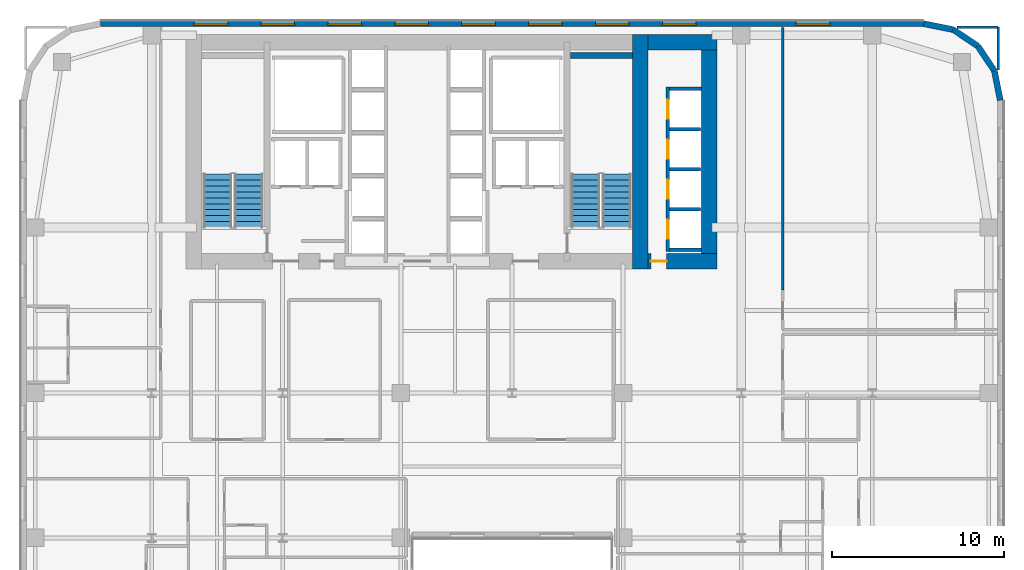
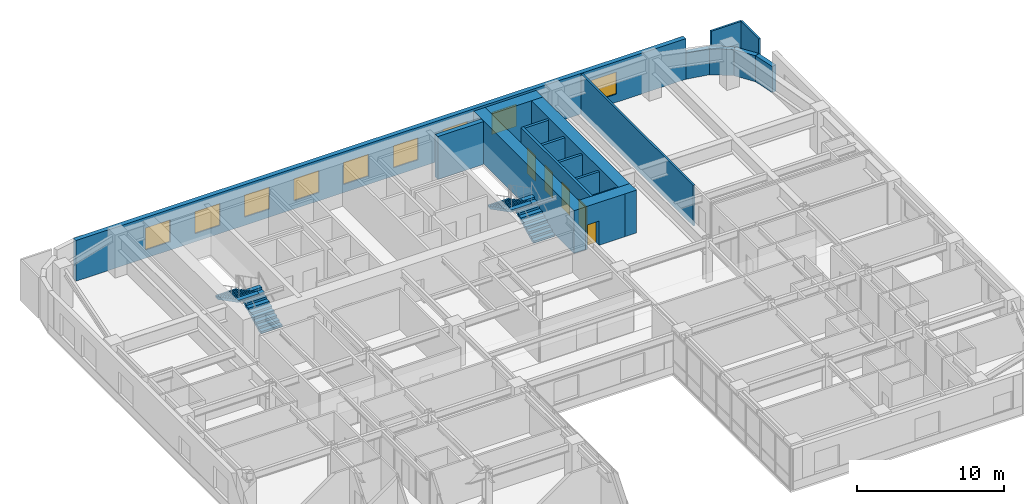
# One storey, part 19 of 25: 19 walls, 9 windows, 5 doors, 4 stair flights, 14 openings, 2 elements without a shape of their own.
"""IFC4 building model written with IfcOpenShell, lengths in metres."""

from ifc_helpers import new_model, si_unit, direction, frame, frame_2d, origin, place, context, subcontext, project, spatial, polyline, rectangle, outline, extrude, source, transform, mapped, material, layer, layer_set, type_object, type_shapes, element, fill, aggregate, save


model = new_model("IFC4")

# Units and contexts
model_context = context("Model", 3, precision=1e-05, world=origin(), true_north=direction((0.0, 1.0)))
body_context = subcontext(model_context, "Body", "Model", "MODEL_VIEW")
ifc_project = project(units=[si_unit("LENGTHUNIT", "METRE"), si_unit("AREAUNIT", "SQUARE_METRE"), si_unit("VOLUMEUNIT", "CUBIC_METRE"), si_unit("PLANEANGLEUNIT", "RADIAN"), si_unit("MASSUNIT", "GRAM", prefix="KILO")], contexts=[model_context])

# Site, building, storey
site_placement = place(None, origin())
site = spatial("IfcSite", under=ifc_project, at=site_placement, CompositionType="ELEMENT")
building_placement = place(site_placement, origin())
building = spatial("IfcBuilding", under=site, at=building_placement, Name="Tolvann Quenvar Hotel", CompositionType="ELEMENT")
storey_placement = place(building_placement, frame((0.0, 0.0, 46.199951171875)))
storey = spatial("IfcBuildingStorey", under=building, at=storey_placement, Name="L10", CompositionType="ELEMENT", Elevation=46.199951171875)

# Wall
ifc_material_1 = material(Name="Concrete S80 (80 MPa)", Category="concrete")
ifc_layer_1 = layer(ifc_material_1, 0.89990234375)
ifc_layer_set_1 = layer_set([ifc_layer_1], Name="Concrete S80 (80 MPa)")
wall_type_1 = type_object("IfcWallType", Name="WALL_CORE_900", PredefinedType="SHEAR", material=ifc_layer_set_1)
wall_1_placement = place(storey_placement, frame((35.949951171875, 31.60009765625, 0.0), z_axis=(0.0, 0.0, 1.0), x_axis=(0.0, 1.0, 0.0)))
element("IfcWall", 1, at=wall_1_placement, inside=storey, type_object=wall_type_1, Name="Rear Core E Shear Wall (L10)", PredefinedType="SHEAR", context=body_context, shape_type="SweptSolid", body=[
    extrude(rectangle(XDim=13.599853515625, YDim=0.89990234375, at=frame_2d((6.7998046875, 0.0))), origin(), (0.0, 0.0, 1.0), 3.550048828125),
])

# Wall, opening, door
wall_2_placement = place(storey_placement, frame((36.39990234375, 32.050048828125, 0.0), z_axis=(0.0, 0.0, 1.0), x_axis=(1.0, 0.0, 0.0)))
wall_2 = element("IfcWall", 2, at=wall_2_placement, inside=storey, type_object=wall_type_1, Name="Core East Annex Shear Wall ANN-S (L10)", PredefinedType="SHEAR", context=body_context, shape_type="SweptSolid", body=[
    extrude(rectangle(XDim=4.0, YDim=0.89990234375, at=frame_2d((2.0, 0.0))), origin(), (0.0, 0.0, 1.0), 3.550048828125),
])
opening_1_placement = place(wall_2_placement, frame((1.06982421875, 0.0, 0.0), z_axis=(0.0, 0.0, 1.0), x_axis=(-1.0, 0.0, 0.0)))
opening_1 = element("IfcOpeningElement", 3, at=opening_1_placement, cuts=wall_2, Name="Opening WD-01", PredefinedType="OPENING", context=body_context, shape_type="SweptSolid", body=[
    extrude(rectangle(XDim=0.919921875, YDim=2.010009765625, at=frame_2d((0.4599609375, 1.0048828125))), frame((0.0, 0.4599609375, 0.0), z_axis=(0.0, -1.0, 0.0), x_axis=(1.0, 0.0, 0.0)), (0.0, 0.0, 1.0), 0.919921875),
])
ifc_material_2 = material(Name="Solid-core American oak acoustic fire door leaf in steel frame", Category="steel")
door_type_1 = type_object("IfcDoorType", Name="DOOR_WC_920", OperationType="NOTDEFINED", PredefinedType="DOOR", material=ifc_material_2)
shared_shape_1 = source(origin(), body_context, "Body", "SweptSolid", [
    extrude(rectangle(XDim=0.919921875, YDim=2.010009765625, at=frame_2d((0.4599609375, 1.0048828125))), frame((0.0, 0.02490234375, 0.0), z_axis=(0.0, -1.0, 0.0), x_axis=(1.0, 0.0, 0.0)), (0.0, 0.0, 1.0), 0.050048828125),
])
type_shapes(door_type_1, [shared_shape_1])
door_1_placement = place(opening_1_placement, origin())
door_1 = element("IfcDoor", 4, at=door_1_placement, inside=storey, type_object=door_type_1, Name="Low-Rise Lift Lobby Fire Door (L10)", OperationType="SINGLE_SWING_RIGHT", OverallHeight=2.010009765625, OverallWidth=0.919921875, PredefinedType="DOOR", context=body_context, shape_type="MappedRepresentation", body=[
    mapped(shared_shape_1, transform((0.0, 0.0, 0.0), x_axis=(1.0, 0.0, 0.0), y_axis=(0.0, 1.0, 0.0), z_axis=(0.0, 0.0, 1.0), scale=1.0)),
])
fill(opening_1, door_1)

# Walls
wall_3_placement = place(storey_placement, frame((36.39990234375, 44.75, 0.0), z_axis=(0.0, 0.0, 1.0), x_axis=(1.0, 0.0, 0.0)))
element("IfcWall", 5, at=wall_3_placement, inside=storey, type_object=wall_type_1, Name="Core East Annex Shear Wall ANN-N (L10)", PredefinedType="SHEAR", context=body_context, shape_type="SweptSolid", body=[
    extrude(rectangle(XDim=4.0, YDim=0.89990234375, at=frame_2d((2.0, 0.0))), origin(), (0.0, 0.0, 1.0), 3.550048828125),
])
wall_4_placement = place(storey_placement, frame((39.949951171875, 31.60009765625, 0.0), z_axis=(0.0, 0.0, 1.0), x_axis=(0.0, 1.0, 0.0)))
element("IfcWall", 6, at=wall_4_placement, inside=storey, type_object=wall_type_1, Name="Core East Annex Shear Wall ANN-E (L10)", PredefinedType="SHEAR", context=body_context, shape_type="SweptSolid", body=[
    extrude(rectangle(XDim=13.599853515625, YDim=0.89990234375, at=frame_2d((6.7998046875, 0.0))), origin(), (0.0, 0.0, 1.0), 3.550048828125),
])
ifc_material_3 = material(Name="Concrete S65 (65 MPa)", Category="concrete")
ifc_layer_2 = layer(ifc_material_3, 0.35009765625)
ifc_layer_set_2 = layer_set([ifc_layer_2], Name="Concrete S65 (65 MPa)")
wall_type_2 = type_object("IfcWallType", Name="WALL_CORE_INT_350", PredefinedType="SHEAR", material=ifc_layer_set_2)
wall_5_placement = place(storey_placement, frame((31.8798828125, 43.97509765625, 0.0), z_axis=(0.0, 0.0, 1.0), x_axis=(1.0, 0.0, 0.0)))
element("IfcWall", 7, at=wall_5_placement, inside=storey, type_object=wall_type_2, Name="Core Stair North Closing Shear Wall STC2-N (L10)", PredefinedType="SHEAR", context=body_context, shape_type="SweptSolid", body=[
    extrude(rectangle(XDim=3.60009765625, YDim=0.35009765625, at=frame_2d((1.800048828125, 0.0))), origin(), (0.0, 0.0, 1.0), 3.550048828125),
])
ifc_material_4 = material(Name="Kiln-fired red and buff architectural clay brickwork and terracotta masonry", Category="masonry")
ifc_layer_3 = layer(ifc_material_4, 0.35009765625)
ifc_layer_set_3 = layer_set([ifc_layer_3], Name="Kiln-fired red and buff architectural clay brickwork and terracotta masonry")
wall_type_3 = type_object("IfcWallType", Name="WALL_EXT_BRICK_350", PredefinedType="SOLIDWALL", material=ifc_layer_set_3)
wall_6_placement = place(storey_placement, frame((56.824951171875, 41.3828125, 0.0), z_axis=(0.0, 0.0, 1.0), x_axis=(-0.195011420161, 0.980800971659, 0.0)))
element("IfcWall", 8, at=wall_6_placement, inside=storey, type_object=wall_type_3, Name="Exterior Chicago Brick Wall L10-E14", PredefinedType="SOLIDWALL", context=body_context, shape_type="SweptSolid", body=[
    extrude(rectangle(XDim=1.74267578125, YDim=0.35009765625, at=frame_2d((0.871337890625, 0.0))), origin(), (0.0, 0.0, 1.0), 2.16015625),
])
for number, where, z_axis, x_axis, name in (
    (9, (56.485107421875, 43.092041015625, 0.0), (0.0, 0.0, 1.0), (-0.55554893791, 0.831483840845, 0.0), "Exterior Chicago Brick Wall L10-E15"),
    (10, (55.526611328125, 44.526611328125, 0.0), (0.0, 0.0, 1.0), (-0.831483840845, 0.55554893791, 0.0), "Exterior Chicago Brick Wall L10-E16"),
):
    element("IfcWall", number, at=place(storey_placement, frame(where, z_axis=z_axis, x_axis=x_axis)), inside=storey, type_object=wall_type_3, Name=name, PredefinedType="SOLIDWALL", context=body_context, shape_type="SweptSolid", body=[
        extrude(rectangle(XDim=1.725341796875, YDim=0.35009765625, at=frame_2d((0.86279296875, 0.0))), origin(), (0.0, 0.0, 1.0), 2.16015625),
    ])
wall_7_placement = place(storey_placement, frame((54.092041015625, 45.485107421875, 0.0), z_axis=(0.0, 0.0, 1.0), x_axis=(-0.980800971659, 0.195011420161, 0.0)))
element("IfcWall", 11, at=wall_7_placement, inside=storey, type_object=wall_type_3, Name="Exterior Chicago Brick Wall L10-E17", PredefinedType="SOLIDWALL", context=body_context, shape_type="SweptSolid", body=[
    extrude(rectangle(XDim=1.74267578125, YDim=0.35009765625, at=frame_2d((0.871337890625, 0.0))), origin(), (0.0, 0.0, 1.0), 2.16015625),
])

# Wall, openings, windows
wall_8_placement = place(storey_placement, frame((52.3828125, 45.824951171875, 0.0), z_axis=(0.0, 0.0, 1.0), x_axis=(-1.0, 0.0, 0.0)))
wall_8 = element("IfcWall", 12, at=wall_8_placement, inside=storey, type_object=wall_type_3, Name="Exterior Chicago Brick Wall L10-E18", PredefinedType="SOLIDWALL", context=body_context, shape_type="SweptSolid", body=[
    extrude(rectangle(XDim=47.765625, YDim=0.35009765625, at=frame_2d((23.8828125, 0.0))), origin(), (0.0, 0.0, 1.0), 3.3701171875),
])
opening_2_placement = place(wall_8_placement, frame((5.446044921875, 0.0, 0.679931640625)))
opening_2 = element("IfcOpeningElement", 13, at=opening_2_placement, cuts=wall_8, Name="Opening W-10", PredefinedType="OPENING", context=body_context, shape_type="SweptSolid", body=[
    extrude(rectangle(XDim=1.949951171875, YDim=1.820068359375, at=frame_2d((0.97509765625, 0.91015625))), frame((0.0, 0.18505859375, 0.0), z_axis=(0.0, -1.0, 0.0), x_axis=(1.0, 0.0, 0.0)), (0.0, 0.0, 1.0), 0.3701171875),
])
opening_3_placement = place(wall_8_placement, frame((13.20703125, 0.0, 0.679931640625)))
opening_3 = element("IfcOpeningElement", 14, at=opening_3_placement, cuts=wall_8, Name="Opening W-10", PredefinedType="OPENING", context=body_context, shape_type="SweptSolid", body=[
    extrude(rectangle(XDim=1.949951171875, YDim=1.820068359375, at=frame_2d((0.97509765625, 0.91015625))), frame((0.0, 0.18505859375, 0.0), z_axis=(0.0, -1.0, 0.0), x_axis=(1.0, 0.0, 0.0)), (0.0, 0.0, 1.0), 0.3701171875),
])
opening_4_placement = place(wall_8_placement, frame((17.0869140625, 0.0, 0.679931640625)))
opening_4 = element("IfcOpeningElement", 15, at=opening_4_placement, cuts=wall_8, Name="Opening W-10", PredefinedType="OPENING", context=body_context, shape_type="SweptSolid", body=[
    extrude(rectangle(XDim=1.949951171875, YDim=1.820068359375, at=frame_2d((0.97509765625, 0.91015625))), frame((0.0, 0.18505859375, 0.0), z_axis=(0.0, -1.0, 0.0), x_axis=(1.0, 0.0, 0.0)), (0.0, 0.0, 1.0), 0.3701171875),
])
opening_5_placement = place(wall_8_placement, frame((20.968017578125, 0.0, 0.679931640625)))
opening_5 = element("IfcOpeningElement", 16, at=opening_5_placement, cuts=wall_8, Name="Opening W-10", PredefinedType="OPENING", context=body_context, shape_type="SweptSolid", body=[
    extrude(rectangle(XDim=1.949951171875, YDim=1.820068359375, at=frame_2d((0.97509765625, 0.91015625))), frame((0.0, 0.18505859375, 0.0), z_axis=(0.0, -1.0, 0.0), x_axis=(1.0, 0.0, 0.0)), (0.0, 0.0, 1.0), 0.3701171875),
])
opening_6_placement = place(wall_8_placement, frame((24.847900390625, 0.0, 0.679931640625)))
opening_6 = element("IfcOpeningElement", 17, at=opening_6_placement, cuts=wall_8, Name="Opening W-10", PredefinedType="OPENING", context=body_context, shape_type="SweptSolid", body=[
    extrude(rectangle(XDim=1.949951171875, YDim=1.820068359375, at=frame_2d((0.97509765625, 0.91015625))), frame((0.0, 0.18505859375, 0.0), z_axis=(0.0, -1.0, 0.0), x_axis=(1.0, 0.0, 0.0)), (0.0, 0.0, 1.0), 0.3701171875),
])
opening_7_placement = place(wall_8_placement, frame((28.72900390625, 0.0, 0.679931640625)))
opening_7 = element("IfcOpeningElement", 18, at=opening_7_placement, cuts=wall_8, Name="Opening W-10", PredefinedType="OPENING", context=body_context, shape_type="SweptSolid", body=[
    extrude(rectangle(XDim=1.949951171875, YDim=1.820068359375, at=frame_2d((0.97509765625, 0.91015625))), frame((0.0, 0.18505859375, 0.0), z_axis=(0.0, -1.0, 0.0), x_axis=(1.0, 0.0, 0.0)), (0.0, 0.0, 1.0), 0.3701171875),
])
opening_8_placement = place(wall_8_placement, frame((32.60888671875, 0.0, 0.679931640625)))
opening_8 = element("IfcOpeningElement", 19, at=opening_8_placement, cuts=wall_8, Name="Opening W-10", PredefinedType="OPENING", context=body_context, shape_type="SweptSolid", body=[
    extrude(rectangle(XDim=1.949951171875, YDim=1.820068359375, at=frame_2d((0.97509765625, 0.91015625))), frame((0.0, 0.18505859375, 0.0), z_axis=(0.0, -1.0, 0.0), x_axis=(1.0, 0.0, 0.0)), (0.0, 0.0, 1.0), 0.3701171875),
])
opening_9_placement = place(wall_8_placement, frame((36.489013671875, 0.0, 0.679931640625)))
opening_9 = element("IfcOpeningElement", 20, at=opening_9_placement, cuts=wall_8, Name="Opening W-10", PredefinedType="OPENING", context=body_context, shape_type="SweptSolid", body=[
    extrude(rectangle(XDim=1.949951171875, YDim=1.820068359375, at=frame_2d((0.97509765625, 0.91015625))), frame((0.0, 0.18505859375, 0.0), z_axis=(0.0, -1.0, 0.0), x_axis=(1.0, 0.0, 0.0)), (0.0, 0.0, 1.0), 0.3701171875),
])
opening_10_placement = place(wall_8_placement, frame((40.3701171875, 0.0, 0.679931640625)))
opening_10 = element("IfcOpeningElement", 21, at=opening_10_placement, cuts=wall_8, Name="Opening W-10", PredefinedType="OPENING", context=body_context, shape_type="SweptSolid", body=[
    extrude(rectangle(XDim=1.949951171875, YDim=1.820068359375, at=frame_2d((0.97509765625, 0.91015625))), frame((0.0, 0.18505859375, 0.0), z_axis=(0.0, -1.0, 0.0), x_axis=(1.0, 0.0, 0.0)), (0.0, 0.0, 1.0), 0.3701171875),
])
ifc_material_5 = material(Name="Thermally broken bronze-anodised aluminium frame with double low-E glazing", Category="aluminium")
window_type = type_object("IfcWindowType", Name="WIN_CLB_1950x1850", PartitioningType="DOUBLE_PANEL_VERTICAL", PredefinedType="WINDOW", material=ifc_material_5)
shared_shape_2 = source(origin(), body_context, "Body", "SweptSolid", [
    extrude(rectangle(XDim=1.949951171875, YDim=1.820068359375, at=frame_2d((0.97509765625, 0.91015625))), frame((0.0, 0.090087890625, 0.0), z_axis=(0.0, -1.0, 0.0), x_axis=(1.0, 0.0, 0.0)), (0.0, 0.0, 1.0), 0.06005859375),
])
type_shapes(window_type, [shared_shape_2])
window_1_placement = place(opening_2_placement, origin())
window_1 = element("IfcWindow", 22, at=window_1_placement, inside=storey, type_object=window_type, Name="Chicago Window W-10 (EW-L10-E18-W01)", OverallHeight=1.820068359375, OverallWidth=1.949951171875, PartitioningType="DOUBLE_PANEL_VERTICAL", PredefinedType="WINDOW", context=body_context, shape_type="MappedRepresentation", body=[
    mapped(shared_shape_2, transform((0.0, 0.0, 0.0), x_axis=(1.0, 0.0, 0.0), y_axis=(0.0, 1.0, 0.0), z_axis=(0.0, 0.0, 1.0), scale=1.0)),
])
fill(opening_2, window_1)
window_2_placement = place(opening_3_placement, origin())
window_2 = element("IfcWindow", 23, at=window_2_placement, inside=storey, type_object=window_type, Name="Chicago Window W-10 (EW-L10-E18-W02)", OverallHeight=1.820068359375, OverallWidth=1.949951171875, PartitioningType="DOUBLE_PANEL_VERTICAL", PredefinedType="WINDOW", context=body_context, shape_type="MappedRepresentation", body=[
    mapped(shared_shape_2, transform((0.0, 0.0, 0.0), x_axis=(1.0, 0.0, 0.0), y_axis=(0.0, 1.0, 0.0), z_axis=(0.0, 0.0, 1.0), scale=1.0)),
])
fill(opening_3, window_2)
window_3_placement = place(opening_4_placement, origin())
window_3 = element("IfcWindow", 24, at=window_3_placement, inside=storey, type_object=window_type, Name="Chicago Window W-10 (EW-L10-E18-W03)", OverallHeight=1.820068359375, OverallWidth=1.949951171875, PartitioningType="DOUBLE_PANEL_VERTICAL", PredefinedType="WINDOW", context=body_context, shape_type="MappedRepresentation", body=[
    mapped(shared_shape_2, transform((0.0, 0.0, 0.0), x_axis=(1.0, 0.0, 0.0), y_axis=(0.0, 1.0, 0.0), z_axis=(0.0, 0.0, 1.0), scale=1.0)),
])
fill(opening_4, window_3)
window_4_placement = place(opening_5_placement, origin())
window_4 = element("IfcWindow", 25, at=window_4_placement, inside=storey, type_object=window_type, Name="Chicago Window W-10 (EW-L10-E18-W04)", OverallHeight=1.820068359375, OverallWidth=1.949951171875, PartitioningType="DOUBLE_PANEL_VERTICAL", PredefinedType="WINDOW", context=body_context, shape_type="MappedRepresentation", body=[
    mapped(shared_shape_2, transform((0.0, 0.0, 0.0), x_axis=(1.0, 0.0, 0.0), y_axis=(0.0, 1.0, 0.0), z_axis=(0.0, 0.0, 1.0), scale=1.0)),
])
fill(opening_5, window_4)
window_5_placement = place(opening_6_placement, origin())
window_5 = element("IfcWindow", 26, at=window_5_placement, inside=storey, type_object=window_type, Name="Chicago Window W-10 (EW-L10-E18-W05)", OverallHeight=1.820068359375, OverallWidth=1.949951171875, PartitioningType="DOUBLE_PANEL_VERTICAL", PredefinedType="WINDOW", context=body_context, shape_type="MappedRepresentation", body=[
    mapped(shared_shape_2, transform((0.0, 0.0, 0.0), x_axis=(1.0, 0.0, 0.0), y_axis=(0.0, 1.0, 0.0), z_axis=(0.0, 0.0, 1.0), scale=1.0)),
])
fill(opening_6, window_5)
window_6_placement = place(opening_7_placement, origin())
window_6 = element("IfcWindow", 27, at=window_6_placement, inside=storey, type_object=window_type, Name="Chicago Window W-10 (EW-L10-E18-W06)", OverallHeight=1.820068359375, OverallWidth=1.949951171875, PartitioningType="DOUBLE_PANEL_VERTICAL", PredefinedType="WINDOW", context=body_context, shape_type="MappedRepresentation", body=[
    mapped(shared_shape_2, transform((0.0, 0.0, 0.0), x_axis=(1.0, 0.0, 0.0), y_axis=(0.0, 1.0, 0.0), z_axis=(0.0, 0.0, 1.0), scale=1.0)),
])
fill(opening_7, window_6)
window_7_placement = place(opening_8_placement, origin())
window_7 = element("IfcWindow", 28, at=window_7_placement, inside=storey, type_object=window_type, Name="Chicago Window W-10 (EW-L10-E18-W07)", OverallHeight=1.820068359375, OverallWidth=1.949951171875, PartitioningType="DOUBLE_PANEL_VERTICAL", PredefinedType="WINDOW", context=body_context, shape_type="MappedRepresentation", body=[
    mapped(shared_shape_2, transform((0.0, 0.0, 0.0), x_axis=(1.0, 0.0, 0.0), y_axis=(0.0, 1.0, 0.0), z_axis=(0.0, 0.0, 1.0), scale=1.0)),
])
fill(opening_8, window_7)
window_8_placement = place(opening_9_placement, origin())
window_8 = element("IfcWindow", 29, at=window_8_placement, inside=storey, type_object=window_type, Name="Chicago Window W-10 (EW-L10-E18-W08)", OverallHeight=1.820068359375, OverallWidth=1.949951171875, PartitioningType="DOUBLE_PANEL_VERTICAL", PredefinedType="WINDOW", context=body_context, shape_type="MappedRepresentation", body=[
    mapped(shared_shape_2, transform((0.0, 0.0, 0.0), x_axis=(1.0, 0.0, 0.0), y_axis=(0.0, 1.0, 0.0), z_axis=(0.0, 0.0, 1.0), scale=1.0)),
])
fill(opening_9, window_8)
window_9_placement = place(opening_10_placement, origin())
window_9 = element("IfcWindow", 30, at=window_9_placement, inside=storey, type_object=window_type, Name="Chicago Window W-10 (EW-L10-E18-W09)", OverallHeight=1.820068359375, OverallWidth=1.949951171875, PartitioningType="DOUBLE_PANEL_VERTICAL", PredefinedType="WINDOW", context=body_context, shape_type="MappedRepresentation", body=[
    mapped(shared_shape_2, transform((0.0, 0.0, 0.0), x_axis=(1.0, 0.0, 0.0), y_axis=(0.0, 1.0, 0.0), z_axis=(0.0, 0.0, 1.0), scale=1.0)),
])
fill(opening_10, window_9)

# Walls
ifc_material_6 = material(Name="Acoustic twin-stud fire-rated gypsum plasterboard partition")
ifc_layer_4 = layer(ifc_material_6, 0.14990234375)
ifc_layer_set_4 = layer_set([ifc_layer_4], Name="Acoustic twin-stud fire-rated gypsum plasterboard partition")
wall_type_4 = type_object("IfcWallType", Name="WALL_PART_SUITE_150", PredefinedType="PARTITIONING", material=ifc_layer_set_4)
wall_9_placement = place(storey_placement, frame((56.699951171875, 43.135009765625, 0.0), z_axis=(0.0, 0.0, 1.0), x_axis=(0.0, 1.0, 0.0)))
element("IfcWall", 31, at=wall_9_placement, inside=storey, type_object=wall_type_4, Name="Interior Partition PT-SPC-L10-RM-NE01-E4", PredefinedType="PARTITIONING", context=body_context, shape_type="SweptSolid", body=[
    extrude(rectangle(XDim=2.485107421875, YDim=0.14990234375, at=frame_2d((1.24267578125, 0.0))), origin(), (0.0, 0.0, 1.0), 3.3701171875),
])
wall_10_placement = place(storey_placement, frame((54.303955078125, 45.6201171875, 0.0), z_axis=(0.0, 0.0, 1.0), x_axis=(1.0, 0.0, 0.0)))
element("IfcWall", 32, at=wall_10_placement, inside=storey, type_object=wall_type_4, Name="Interior Partition PT-SPC-L10-RM-NE01-E5", PredefinedType="PARTITIONING", context=body_context, shape_type="SweptSolid", body=[
    extrude(rectangle(XDim=2.39599609375, YDim=0.14990234375, at=frame_2d((1.197998046875, 0.0))), origin(), (0.0, 0.0, 1.0), 3.3701171875),
])
wall_11_placement = place(storey_placement, frame((44.199951171875, 30.3701171875, 0.0), z_axis=(0.0, 0.0, 1.0), x_axis=(0.0, 1.0, 0.0)))
element("IfcWall", 33, at=wall_11_placement, inside=storey, type_object=wall_type_4, Name="Interior Partition PT-SPC-L10-RM-NE01-E6", PredefinedType="PARTITIONING", context=body_context, shape_type="SweptSolid", body=[
    extrude(rectangle(XDim=15.224853515625, YDim=0.14990234375, at=frame_2d((7.6123046875, 0.0))), origin(), (0.0, 0.0, 1.0), 3.3701171875),
])

# Wall, openings, doors
ifc_material_7 = material(Name="Concrete N40 (40 MPa)", Category="concrete")
ifc_layer_5 = layer(ifc_material_7, 0.199951171875)
ifc_layer_set_5 = layer_set([ifc_layer_5], Name="Concrete N40 (40 MPa)")
wall_type_5 = type_object("IfcWallType", Name="WALL_SHAFT_200", PredefinedType="SOLIDWALL", material=ifc_layer_set_5)
wall_12_placement = place(storey_placement, frame((37.530029296875, 32.610107421875, 0.0), z_axis=(0.0, 0.0, 1.0), x_axis=(0.0, 1.0, 0.0)))
wall_12 = element("IfcWall", 34, at=wall_12_placement, inside=storey, type_object=wall_type_5, Name="Lift Bank W37.6C1 Hoistway Front Wall (L10)", PredefinedType="SOLIDWALL", context=body_context, shape_type="SweptSolid", body=[
    extrude(rectangle(XDim=9.539794921875, YDim=0.199951171875, at=frame_2d((4.77001953125, 0.0))), origin(), (0.0, 0.0, 1.0), 3.3701171875),
])
opening_11_placement = place(wall_12_placement, frame((0.739990234375, 0.0, 0.0)))
opening_11 = element("IfcOpeningElement", 35, at=opening_11_placement, cuts=wall_12, Name="Opening LD-01", PredefinedType="OPENING", context=body_context, shape_type="SweptSolid", body=[
    extrude(rectangle(XDim=1.10009765625, YDim=2.1201171875, at=frame_2d((0.550048828125, 1.06005859375))), frame((0.0, 0.10986328125, 0.0), z_axis=(0.0, -1.0, 0.0), x_axis=(1.0, 0.0, 0.0)), (0.0, 0.0, 1.0), 0.219970703125),
])
opening_12_placement = place(wall_12_placement, frame((3.06005859375, 0.0, 0.0)))
opening_12 = element("IfcOpeningElement", 36, at=opening_12_placement, cuts=wall_12, Name="Opening LD-01", PredefinedType="OPENING", context=body_context, shape_type="SweptSolid", body=[
    extrude(rectangle(XDim=1.10009765625, YDim=2.1201171875, at=frame_2d((0.550048828125, 1.06005859375))), frame((0.0, 0.10986328125, 0.0), z_axis=(0.0, -1.0, 0.0), x_axis=(1.0, 0.0, 0.0)), (0.0, 0.0, 1.0), 0.219970703125),
])
opening_13_placement = place(wall_12_placement, frame((5.3798828125, 0.0, 0.0)))
opening_13 = element("IfcOpeningElement", 37, at=opening_13_placement, cuts=wall_12, Name="Opening LD-01", PredefinedType="OPENING", context=body_context, shape_type="SweptSolid", body=[
    extrude(rectangle(XDim=1.10009765625, YDim=2.1201171875, at=frame_2d((0.550048828125, 1.06005859375))), frame((0.0, 0.10986328125, 0.0), z_axis=(0.0, -1.0, 0.0), x_axis=(1.0, 0.0, 0.0)), (0.0, 0.0, 1.0), 0.219970703125),
])
opening_14_placement = place(wall_12_placement, frame((7.699951171875, 0.0, 0.0)))
opening_14 = element("IfcOpeningElement", 38, at=opening_14_placement, cuts=wall_12, Name="Opening LD-01", PredefinedType="OPENING", context=body_context, shape_type="SweptSolid", body=[
    extrude(rectangle(XDim=1.10009765625, YDim=2.1201171875, at=frame_2d((0.550048828125, 1.06005859375))), frame((0.0, 0.10986328125, 0.0), z_axis=(0.0, -1.0, 0.0), x_axis=(1.0, 0.0, 0.0)), (0.0, 0.0, 1.0), 0.219970703125),
])
ifc_material_8 = material(Name="Brushed 316 stainless steel automatic sliding lift landing door", Category="steel")
door_type_2 = type_object("IfcDoorType", Name="DOOR_LIFT_SLIDE_1100", OperationType="NOTDEFINED", PredefinedType="DOOR", material=ifc_material_8)
shared_shape_3 = source(origin(), body_context, "Body", "SweptSolid", [
    extrude(rectangle(XDim=1.10009765625, YDim=2.1201171875, at=frame_2d((0.550048828125, 1.06005859375))), frame((0.0, 0.02490234375, 0.0), z_axis=(0.0, -1.0, 0.0), x_axis=(1.0, 0.0, 0.0)), (0.0, 0.0, 1.0), 0.050048828125),
])
type_shapes(door_type_2, [shared_shape_3])
door_2_placement = place(opening_11_placement, origin())
door_2 = element("IfcDoor", 39, at=door_2_placement, inside=storey, type_object=door_type_2, Name="Lift PL-1 Sliding Landing Door (L10)", OperationType="SLIDING_TO_LEFT", OverallHeight=2.1201171875, OverallWidth=1.10009765625, PredefinedType="DOOR", context=body_context, shape_type="MappedRepresentation", body=[
    mapped(shared_shape_3, transform((0.0, 0.0, 0.0), x_axis=(1.0, 0.0, 0.0), y_axis=(0.0, 1.0, 0.0), z_axis=(0.0, 0.0, 1.0), scale=1.0)),
])
fill(opening_11, door_2)
door_3_placement = place(opening_12_placement, origin())
door_3 = element("IfcDoor", 40, at=door_3_placement, inside=storey, type_object=door_type_2, Name="Lift PL-2 Sliding Landing Door (L10)", OperationType="SLIDING_TO_RIGHT", OverallHeight=2.1201171875, OverallWidth=1.10009765625, PredefinedType="DOOR", context=body_context, shape_type="MappedRepresentation", body=[
    mapped(shared_shape_3, transform((0.0, 0.0, 0.0), x_axis=(1.0, 0.0, 0.0), y_axis=(0.0, 1.0, 0.0), z_axis=(0.0, 0.0, 1.0), scale=1.0)),
])
fill(opening_12, door_3)
door_4_placement = place(opening_13_placement, origin())
door_4 = element("IfcDoor", 41, at=door_4_placement, inside=storey, type_object=door_type_2, Name="Lift PL-3 Sliding Landing Door (L10)", OperationType="SLIDING_TO_LEFT", OverallHeight=2.1201171875, OverallWidth=1.10009765625, PredefinedType="DOOR", context=body_context, shape_type="MappedRepresentation", body=[
    mapped(shared_shape_3, transform((0.0, 0.0, 0.0), x_axis=(1.0, 0.0, 0.0), y_axis=(0.0, 1.0, 0.0), z_axis=(0.0, 0.0, 1.0), scale=1.0)),
])
fill(opening_13, door_4)
door_5_placement = place(opening_14_placement, origin())
door_5 = element("IfcDoor", 42, at=door_5_placement, inside=storey, type_object=door_type_2, Name="Lift PL-4 Sliding Landing Door (L10)", OperationType="SLIDING_TO_RIGHT", OverallHeight=2.1201171875, OverallWidth=1.10009765625, PredefinedType="DOOR", context=body_context, shape_type="MappedRepresentation", body=[
    mapped(shared_shape_3, transform((0.0, 0.0, 0.0), x_axis=(1.0, 0.0, 0.0), y_axis=(0.0, 1.0, 0.0), z_axis=(0.0, 0.0, 1.0), scale=1.0)),
])
fill(opening_14, door_5)

# Walls
for number, where, z_axis, x_axis, name in (
    (43, (37.6298828125, 32.7099609375, 0.0), (0.0, 0.0, 1.0), (1.0, 0.0, 0.0), "Lift Bank W37.6C1 Hoistway Cheek Wall 1 (L10)"),
    (44, (37.6298828125, 42.050048828125, 0.0), (0.0, 0.0, 1.0), (1.0, 0.0, 0.0), "Lift Bank W37.6C1 Hoistway Cheek Wall 2 (L10)"),
):
    element("IfcWall", number, at=place(storey_placement, frame(where, z_axis=z_axis, x_axis=x_axis)), inside=storey, type_object=wall_type_5, Name=name, PredefinedType="SOLIDWALL", context=body_context, shape_type="SweptSolid", body=[
        extrude(rectangle(XDim=1.8701171875, YDim=0.199951171875, at=frame_2d((0.93505859375, 0.0))), origin(), (0.0, 0.0, 1.0), 3.3701171875),
    ])
for number, where, z_axis, x_axis, name in (
    (45, (37.6298828125, 35.06005859375, 0.0), (0.0, 0.0, 1.0), (1.0, 0.0, 0.0), "Lift Bank W37.6C1 Divider Wall 1 (L10)"),
    (46, (37.6298828125, 37.3798828125, 0.0), (0.0, 0.0, 1.0), (1.0, 0.0, 0.0), "Lift Bank W37.6C1 Divider Wall 2 (L10)"),
    (47, (37.6298828125, 39.699951171875, 0.0), (0.0, 0.0, 1.0), (1.0, 0.0, 0.0), "Lift Bank W37.6C1 Divider Wall 3 (L10)"),
):
    element("IfcWall", number, at=place(storey_placement, frame(where, z_axis=z_axis, x_axis=x_axis)), inside=storey, type_object=wall_type_5, Name=name, PredefinedType="SOLIDWALL", context=body_context, shape_type="SweptSolid", body=[
        extrude(rectangle(XDim=1.800048828125, YDim=0.199951171875, at=frame_2d((0.89990234375, 0.0))), origin(), (0.0, 0.0, 1.0), 3.3701171875),
    ])

# Stair, stair flights
stair_type = type_object("IfcStairType", Name="STAIR", PredefinedType="HALF_TURN_STAIR", material=ifc_material_7)
stair_1_placement = place(storey_placement, origin())
stair_1 = element("IfcStair", 48, at=stair_1_placement, inside=storey, type_object=stair_type, Name="L10 ST-C1", PredefinedType="HALF_TURN_STAIR")
stair_flight_type = type_object("IfcStairFlightType", Name="STAIR_FLIGHT", PredefinedType="STRAIGHT", material=ifc_material_7)
stair_flight_1_placement = place(storey_placement, frame((13.22509765625, 34.0, 0.0), z_axis=(0.0, 0.0, 1.0), x_axis=(0.0, 1.0, 0.0)))
stair_flight_1 = element("IfcStairFlight", 49, at=stair_flight_1_placement, type_object=stair_flight_type, Name="ST-C1 flight 1", NumberOfRisers=10, NumberOfTreads=9, PredefinedType="STRAIGHT", RiserHeight=0.1775, TreadLength=0.345, context=body_context, shape_type="SweptSolid", body=[
    extrude(outline(polyline([(0.0, 0.0), (0.0, 0.177490234375), (0.344970703125, 0.177490234375), (0.344970703125, 0.35498046875), (0.68994140625, 0.35498046875), (0.68994140625, 0.532470703125), (1.034912109375, 0.532470703125), (1.034912109375, 0.7099609375), (1.3798828125, 0.7099609375), (1.3798828125, 0.887451171875), (1.72509765625, 0.887451171875), (1.72509765625, 1.06494140625), (2.070068359375, 1.06494140625), (2.070068359375, 1.242431640625), (2.4150390625, 1.242431640625), (2.4150390625, 1.419921875), (2.760009765625, 1.419921875), (2.760009765625, 1.597412109375), (3.10498046875, 1.597412109375), (3.10498046875, 1.77490234375), (3.10498046875, 1.428955078125), (0.32763671875, 0.0), (0.0, 0.0)])), frame((0.0, 0.824951171875, 0.0), z_axis=(0.0, -1.0, 0.0), x_axis=(1.0, 0.0, 0.0)), (0.0, 0.0, 1.0), 1.64990234375),
])
stair_flight_2_placement = place(storey_placement, frame((11.425048828125, 37.10498046875, 1.775146484375), z_axis=(0.0, 0.0, 1.0), x_axis=(0.0, -1.0, 0.0)))
stair_flight_2 = element("IfcStairFlight", 50, at=stair_flight_2_placement, type_object=stair_flight_type, Name="ST-C1 flight 2", NumberOfRisers=10, NumberOfTreads=9, PredefinedType="STRAIGHT", RiserHeight=0.1775, TreadLength=0.345, context=body_context, shape_type="SweptSolid", body=[
    extrude(outline(polyline([(0.0, 0.0), (0.0, 0.177490234375), (0.344970703125, 0.177490234375), (0.344970703125, 0.35498046875), (0.68994140625, 0.35498046875), (0.68994140625, 0.532470703125), (1.034912109375, 0.532470703125), (1.034912109375, 0.7099609375), (1.3798828125, 0.7099609375), (1.3798828125, 0.887451171875), (1.72509765625, 0.887451171875), (1.72509765625, 1.06494140625), (2.070068359375, 1.06494140625), (2.070068359375, 1.242431640625), (2.4150390625, 1.242431640625), (2.4150390625, 1.419921875), (2.760009765625, 1.419921875), (2.760009765625, 1.597412109375), (3.10498046875, 1.597412109375), (3.10498046875, 1.77490234375), (3.10498046875, 1.428955078125), (0.32763671875, 0.0), (0.0, 0.0)])), frame((0.0, 0.824951171875, 0.0), z_axis=(0.0, -1.0, 0.0), x_axis=(1.0, 0.0, 0.0)), (0.0, 0.0, 1.0), 1.64990234375),
])
aggregate(stair_1, [stair_flight_1, stair_flight_2])

stair_2_placement = place(storey_placement, origin())
stair_2 = element("IfcStair", 51, at=stair_2_placement, inside=storey, type_object=stair_type, Name="L10 ST-C2", PredefinedType="HALF_TURN_STAIR")
stair_flight_3_placement = place(storey_placement, frame((34.574951171875, 34.0, 0.0), z_axis=(0.0, 0.0, 1.0), x_axis=(0.0, 1.0, 0.0)))
stair_flight_3 = element("IfcStairFlight", 52, at=stair_flight_3_placement, type_object=stair_flight_type, Name="ST-C2 flight 1", NumberOfRisers=10, NumberOfTreads=9, PredefinedType="STRAIGHT", RiserHeight=0.1775, TreadLength=0.345, context=body_context, shape_type="SweptSolid", body=[
    extrude(outline(polyline([(0.0, 0.0), (0.0, 0.177490234375), (0.344970703125, 0.177490234375), (0.344970703125, 0.35498046875), (0.68994140625, 0.35498046875), (0.68994140625, 0.532470703125), (1.034912109375, 0.532470703125), (1.034912109375, 0.7099609375), (1.3798828125, 0.7099609375), (1.3798828125, 0.887451171875), (1.72509765625, 0.887451171875), (1.72509765625, 1.06494140625), (2.070068359375, 1.06494140625), (2.070068359375, 1.242431640625), (2.4150390625, 1.242431640625), (2.4150390625, 1.419921875), (2.760009765625, 1.419921875), (2.760009765625, 1.597412109375), (3.10498046875, 1.597412109375), (3.10498046875, 1.77490234375), (3.10498046875, 1.428955078125), (0.32763671875, 0.0), (0.0, 0.0)])), frame((0.0, 0.824951171875, 0.0), z_axis=(0.0, -1.0, 0.0), x_axis=(1.0, 0.0, 0.0)), (0.0, 0.0, 1.0), 1.64990234375),
])
stair_flight_4_placement = place(storey_placement, frame((32.77490234375, 37.10498046875, 1.775146484375), z_axis=(0.0, 0.0, 1.0), x_axis=(0.0, -1.0, 0.0)))
stair_flight_4 = element("IfcStairFlight", 53, at=stair_flight_4_placement, type_object=stair_flight_type, Name="ST-C2 flight 2", NumberOfRisers=10, NumberOfTreads=9, PredefinedType="STRAIGHT", RiserHeight=0.1775, TreadLength=0.345, context=body_context, shape_type="SweptSolid", body=[
    extrude(outline(polyline([(0.0, 0.0), (0.0, 0.177490234375), (0.344970703125, 0.177490234375), (0.344970703125, 0.35498046875), (0.68994140625, 0.35498046875), (0.68994140625, 0.532470703125), (1.034912109375, 0.532470703125), (1.034912109375, 0.7099609375), (1.3798828125, 0.7099609375), (1.3798828125, 0.887451171875), (1.72509765625, 0.887451171875), (1.72509765625, 1.06494140625), (2.070068359375, 1.06494140625), (2.070068359375, 1.242431640625), (2.4150390625, 1.242431640625), (2.4150390625, 1.419921875), (2.760009765625, 1.419921875), (2.760009765625, 1.597412109375), (3.10498046875, 1.597412109375), (3.10498046875, 1.77490234375), (3.10498046875, 1.428955078125), (0.32763671875, 0.0), (0.0, 0.0)])), frame((0.0, 0.824951171875, 0.0), z_axis=(0.0, -1.0, 0.0), x_axis=(1.0, 0.0, 0.0)), (0.0, 0.0, 1.0), 1.64990234375),
])
aggregate(stair_2, [stair_flight_3, stair_flight_4])

save(model, "model.ifc")
